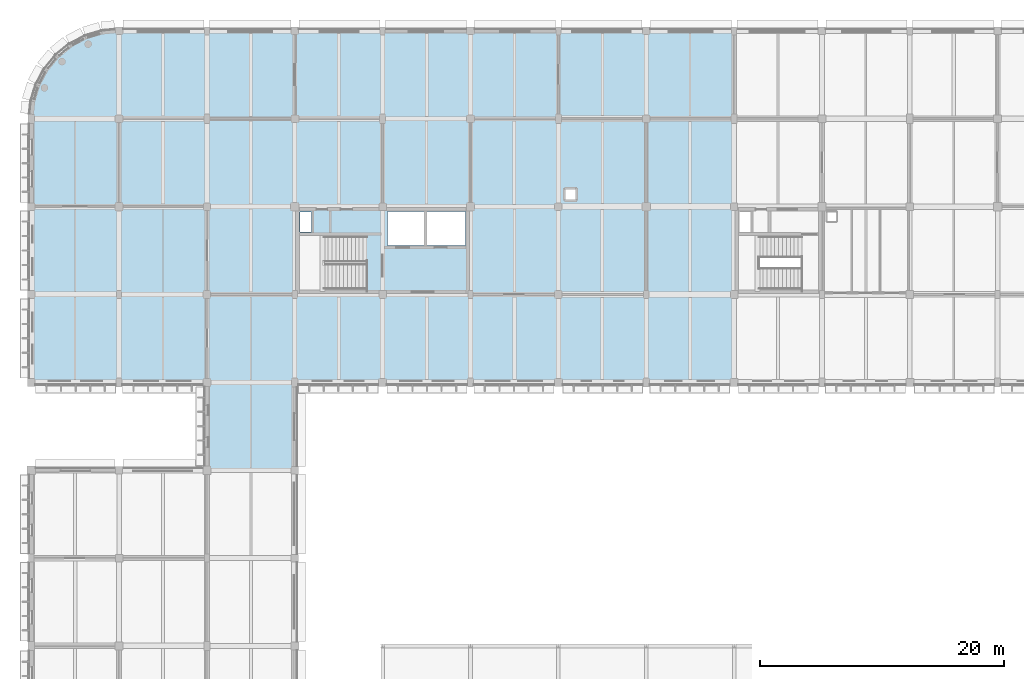
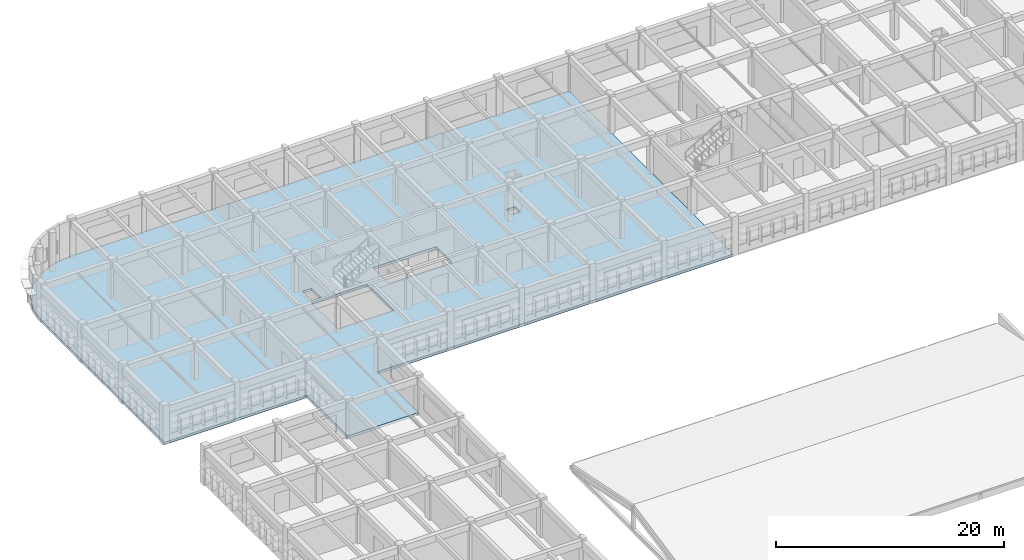
# One storey, part 73 of 103: 1 slab.
"""IFC4 building model written with IfcOpenShell, lengths in metres."""

from ifc_helpers import new_model, si_unit, direction, frame, origin, place, context, subcontext, project, spatial, polyline, outline, extrude, material, layer, layer_set, type_object, element, save


model = new_model("IFC4")

# Units and contexts
model_context = context("Model", 3, precision=1e-05, world=origin(), true_north=direction((0.0, 1.0)))
body_context = subcontext(model_context, "Body", "Model", "MODEL_VIEW")
ifc_project = project(units=[si_unit("LENGTHUNIT", "METRE"), si_unit("AREAUNIT", "SQUARE_METRE"), si_unit("VOLUMEUNIT", "CUBIC_METRE"), si_unit("PLANEANGLEUNIT", "RADIAN"), si_unit("MASSUNIT", "GRAM", prefix="KILO")], contexts=[model_context])

# Site, building, storey
site_placement = place(None, origin())
site = spatial("IfcSite", under=ifc_project, at=site_placement, CompositionType="ELEMENT")
building_placement = place(site_placement, origin())
building = spatial("IfcBuilding", under=site, at=building_placement, Name="Thalmaran Polytechnic", CompositionType="ELEMENT")
storey_placement = place(building_placement, frame((0.0, 0.0, 14.39990234375)))
storey = spatial("IfcBuildingStorey", under=building, at=storey_placement, Name="L03", CompositionType="ELEMENT", Elevation=14.39990234375)

# Slab
ifc_material = material(Name="Concrete C40/50", Category="concrete")
ifc_layer = layer(ifc_material, 0.27490234375, Name="Concrete C40/50")
ifc_layer_set = layer_set([ifc_layer], Name="Concrete C40/50")
slab_type = type_object("IfcSlabType", Name="SL-FL05", PredefinedType="FLOOR", material=ifc_layer_set)
slab_placement = place(storey_placement, frame((0.0, 0.0, -0.27490234375)))
element("IfcSlab", 1, at=slab_placement, inside=storey, type_object=slab_type, Name="V2W L03 Structural Slab", PredefinedType="FLOOR", context=body_context, shape_type="SweptSolid", body=[
    extrude(outline(polyline([(0.138427734375, 116.604736328125), (0.548095703125, 117.955322265625), (1.21337890625, 119.2001953125), (2.10888671875, 120.291259765625), (3.199951171875, 121.1865234375), (4.444580078125, 121.85205078125), (5.79541015625, 122.26171875), (7.199951171875, 122.39990234375), (14.39990234375, 122.39990234375), (21.60009765625, 122.39990234375), (28.800048828125, 122.39990234375), (36.0, 122.39990234375), (43.199951171875, 122.39990234375), (50.39990234375, 122.39990234375), (57.60009765625, 122.39990234375), (57.60009765625, 115.199951171875), (57.60009765625, 108.0), (57.60009765625, 100.800048828125), (57.60009765625, 93.60009765625), (50.39990234375, 93.60009765625), (43.199951171875, 93.60009765625), (36.0, 93.60009765625), (28.800048828125, 93.60009765625), (21.60009765625, 93.60009765625), (21.60009765625, 86.39990234375), (14.39990234375, 86.39990234375), (14.39990234375, 93.60009765625), (7.199951171875, 93.60009765625), (0.0, 93.60009765625), (0.0, 100.800048828125), (0.0, 108.0), (0.0, 115.199951171875), (0.138427734375, 116.604736328125)]), holes=[polyline([(44.64990234375, 109.449951171875), (43.75, 109.449951171875), (43.75, 108.550048828125), (44.64990234375, 108.550048828125), (44.64990234375, 109.449951171875)]), polyline([(29.199951171875, 107.60009765625), (29.199951171875, 104.800048828125), (35.60009765625, 104.800048828125), (35.60009765625, 107.60009765625), (29.199951171875, 107.60009765625)]), polyline([(27.47998046875, 101.050048828125), (27.47998046875, 105.639892578125), (21.85009765625, 105.639892578125), (21.85009765625, 101.050048828125), (27.47998046875, 101.050048828125)]), polyline([(22.0400390625, 105.93994140625), (22.9599609375, 105.93994140625), (22.9599609375, 107.56005859375), (22.0400390625, 107.56005859375), (22.0400390625, 105.93994140625)])]), origin(), (0.0, 0.0, 1.0), 0.27490234375),
])

save(model, "model.ifc")
